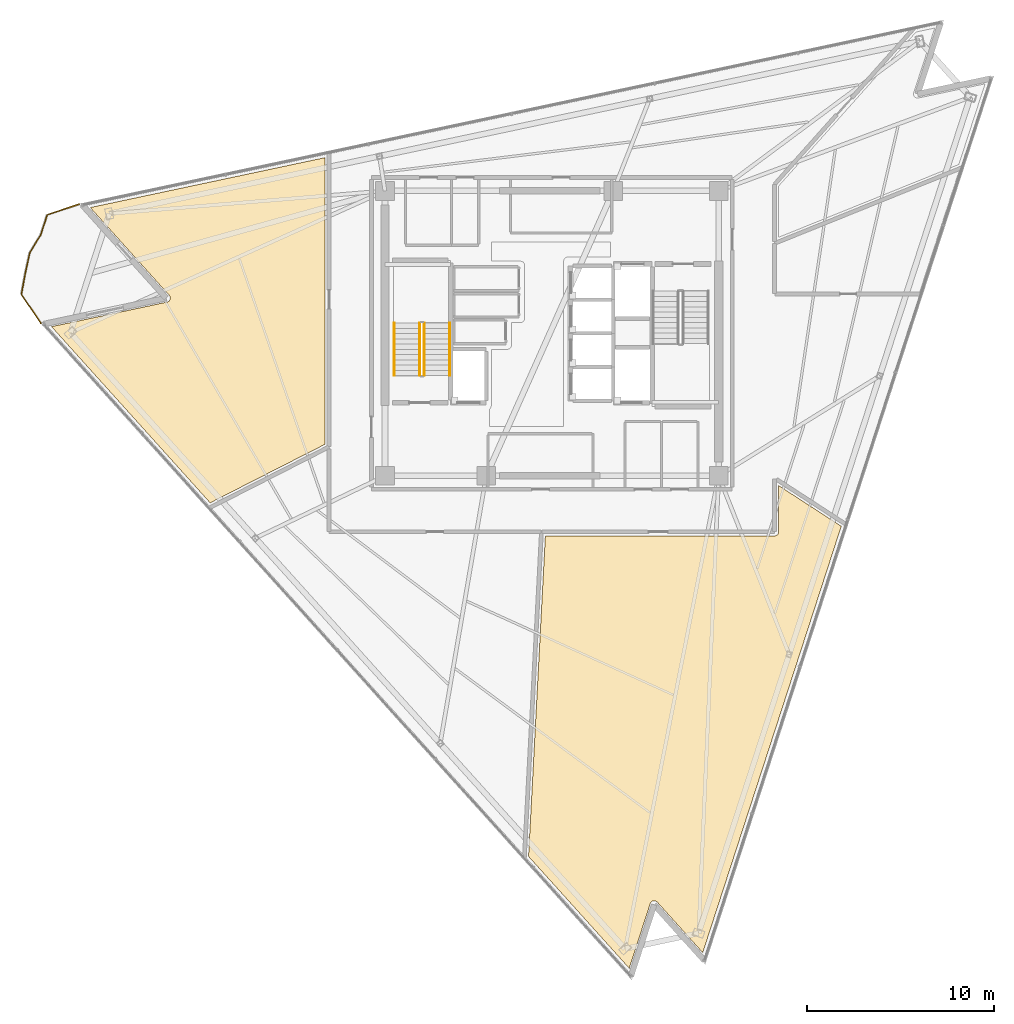
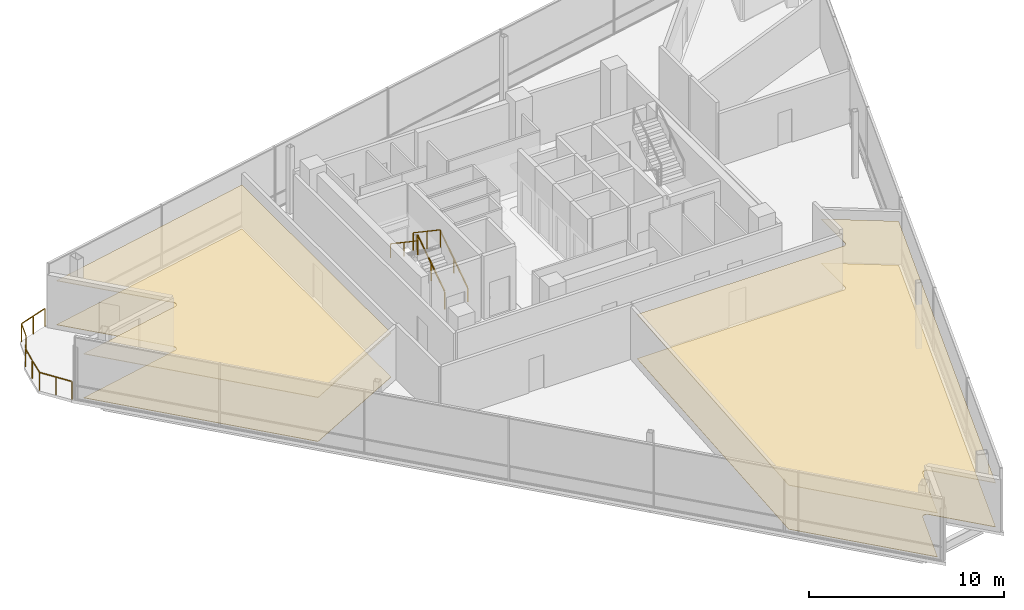
# One storey, part 15 of 17: 5 railings, 4 coverings.
"""IFC4 building model written with IfcOpenShell, lengths in metres."""

from ifc_helpers import new_model, si_unit, direction, frame, origin, origin_2d, place, context, subcontext, project, spatial, polyline, rectangle, outline, extrude, material, layer, layer_set, type_object, element, save


model = new_model("IFC4")

# Units and contexts
model_context = context("Model", 3, precision=1e-05, world=origin(), true_north=direction((0.0, 1.0)))
body_context = subcontext(model_context, "Body", "Model", "MODEL_VIEW")
ifc_project = project(units=[si_unit("LENGTHUNIT", "METRE"), si_unit("AREAUNIT", "SQUARE_METRE"), si_unit("VOLUMEUNIT", "CUBIC_METRE"), si_unit("PLANEANGLEUNIT", "RADIAN"), si_unit("MASSUNIT", "GRAM", prefix="KILO")], contexts=[model_context])

# Site, building, storey
site_placement = place(None, origin())
site = spatial("IfcSite", under=ifc_project, at=site_placement, CompositionType="ELEMENT")
building_placement = place(site_placement, origin())
building = spatial("IfcBuilding", under=site, at=building_placement, Name="Tharavind Bronze Gate", CompositionType="ELEMENT")
storey_placement = place(building_placement, frame((0.0, 0.0, 298.0)))
storey = spatial("IfcBuildingStorey", under=building, at=storey_placement, Name="L77", CompositionType="ELEMENT", Elevation=298.0)

# Coverings
ifc_material_1 = material(Name="Engineered Oak & Carpet Tile", Category="wood")
ifc_layer_1 = layer(ifc_material_1, 0.02490234375)
ifc_layer_set_1 = layer_set([ifc_layer_1], Name="Engineered Oak & Carpet Tile")
covering_type_1 = type_object("IfcCoveringType", Name="ENGINEERED TIMBER FLOORING", PredefinedType="FLOORING", material=ifc_layer_set_1)
covering_1_placement = place(storey_placement, origin())
element("IfcCovering", 1, at=covering_1_placement, inside=storey, type_object=covering_type_1, Name="L77-RM-02 floor finish", PredefinedType="FLOORING", context=body_context, shape_type="SweptSolid", body=[
    extrude(outline(polyline([(-18.224609375, -9.0390625), (-12.10009765625, -5.918212890625), (-12.10009765625, 9.3740234375), (-24.62255859375, 6.712158203125), (-20.408203125, 2.03173828125), (-20.401123046875, 2.023193359375), (-20.400634765625, 2.02294921875), (-20.3876953125, 2.005126953125), (-20.376708984375, 1.986328125), (-20.367431640625, 1.96630859375), (-20.360107421875, 1.94580078125), (-20.35498046875, 1.92431640625), (-20.35205078125, 1.902587890625), (-20.351318359375, 1.880615234375), (-20.352783203125, 1.85888671875), (-20.3564453125, 1.837158203125), (-20.362060546875, 1.81591796875), (-20.369873046875, 1.79541015625), (-20.379638671875, 1.77587890625), (-20.3916015625, 1.75732421875), (-20.405029296875, 1.739990234375), (-20.420166015625, 1.72412109375), (-20.436767578125, 1.7099609375), (-20.454833984375, 1.697509765625), (-20.473876953125, 1.686767578125), (-20.494140625, 1.677978515625), (-20.514892578125, 1.67138671875), (-20.515380859375, 1.671142578125), (-20.526123046875, 1.668701171875), (-26.686767578125, 0.359130859375), (-18.224609375, -9.0390625)])), origin(), (0.0, 0.0, 1.0), 0.02490234375),
])
covering_2_placement = place(storey_placement, origin())
element("IfcCovering", 2, at=covering_2_placement, inside=storey, type_object=covering_type_1, Name="L77-RM-04 floor finish", PredefinedType="FLOORING", context=body_context, shape_type="SweptSolid", body=[
    extrude(outline(polyline([(4.12939453125, -33.865478515625), (5.25, -30.416748046875), (5.25341796875, -30.406494140625), (5.253662109375, -30.406005859375), (5.262451171875, -30.3857421875), (5.273193359375, -30.36669921875), (5.285888671875, -30.348876953125), (5.30029296875, -30.332275390625), (5.316162109375, -30.317138671875), (5.33349609375, -30.3037109375), (5.352294921875, -30.2919921875), (5.371826171875, -30.282470703125), (5.392333984375, -30.274658203125), (5.41357421875, -30.26904296875), (5.435302734375, -30.265625), (5.45703125, -30.264404296875), (5.47900390625, -30.26513671875), (5.500732421875, -30.268310546875), (5.522216796875, -30.2734375), (5.542724609375, -30.28076171875), (5.5625, -30.2900390625), (5.581298828125, -30.30126953125), (5.59912109375, -30.314208984375), (5.615234375, -30.3291015625), (5.61572265625, -30.32958984375), (5.623291015625, -30.33740234375), (8.0498046875, -33.0322265625), (15.439453125, -10.288818359375), (12.10009765625, -8.1201171875), (12.10009765625, -10.579345703125), (12.099609375, -10.590087890625), (12.099609375, -10.5908203125), (12.09765625, -10.6123046875), (12.093505859375, -10.63330078125), (12.087158203125, -10.654052734375), (12.078857421875, -10.674072265625), (12.068603515625, -10.693115234375), (12.056640625, -10.7109375), (12.04296875, -10.727783203125), (12.027587890625, -10.742919921875), (12.010986328125, -10.756591796875), (11.9931640625, -10.768798828125), (11.97412109375, -10.77880859375), (11.9541015625, -10.787109375), (11.933349609375, -10.79345703125), (11.912353515625, -10.797607421875), (11.890869140625, -10.7998046875), (11.89013671875, -10.7998046875), (11.87939453125, -10.800048828125), (-0.345703125, -10.800048828125), (-1.241943359375, -27.900390625), (4.12939453125, -33.865478515625)])), origin(), (0.0, 0.0, 1.0), 0.02490234375),
])
ifc_material_2 = material(Name="Acoustic Gypsum Board", Category="gypsum")
ifc_layer_2 = layer(ifc_material_2, 0.030029296875)
ifc_layer_set_2 = layer_set([ifc_layer_2], Name="Acoustic Gypsum Board")
covering_type_2 = type_object("IfcCoveringType", Name="GYPSUM SUSPENDED CEILING", PredefinedType="CEILING", material=ifc_layer_set_2)
covering_3_placement = place(storey_placement, frame((0.0, 0.0, 2.75)))
element("IfcCovering", 3, at=covering_3_placement, inside=storey, type_object=covering_type_2, Name="L77-RM-02 suspended ceiling", PredefinedType="CEILING", context=body_context, shape_type="SweptSolid", body=[
    extrude(outline(polyline([(-18.224609375, -9.0390625), (-12.10009765625, -5.918212890625), (-12.10009765625, 9.3740234375), (-24.62255859375, 6.712158203125), (-20.408203125, 2.03173828125), (-20.401123046875, 2.023193359375), (-20.400634765625, 2.02294921875), (-20.3876953125, 2.005126953125), (-20.376708984375, 1.986328125), (-20.367431640625, 1.96630859375), (-20.360107421875, 1.94580078125), (-20.35498046875, 1.92431640625), (-20.35205078125, 1.902587890625), (-20.351318359375, 1.880615234375), (-20.352783203125, 1.85888671875), (-20.3564453125, 1.837158203125), (-20.362060546875, 1.81591796875), (-20.369873046875, 1.79541015625), (-20.379638671875, 1.77587890625), (-20.3916015625, 1.75732421875), (-20.405029296875, 1.739990234375), (-20.420166015625, 1.72412109375), (-20.436767578125, 1.7099609375), (-20.454833984375, 1.697509765625), (-20.473876953125, 1.686767578125), (-20.494140625, 1.677978515625), (-20.514892578125, 1.67138671875), (-20.515380859375, 1.671142578125), (-20.526123046875, 1.668701171875), (-26.686767578125, 0.359130859375), (-18.224609375, -9.0390625)])), origin(), (0.0, 0.0, 1.0), 0.034912109375),
])
covering_4_placement = place(storey_placement, frame((0.0, 0.0, 2.75)))
element("IfcCovering", 4, at=covering_4_placement, inside=storey, type_object=covering_type_2, Name="L77-RM-04 suspended ceiling", PredefinedType="CEILING", context=body_context, shape_type="SweptSolid", body=[
    extrude(outline(polyline([(4.12939453125, -33.865478515625), (5.25, -30.416748046875), (5.25341796875, -30.406494140625), (5.253662109375, -30.406005859375), (5.262451171875, -30.3857421875), (5.273193359375, -30.36669921875), (5.285888671875, -30.348876953125), (5.30029296875, -30.332275390625), (5.316162109375, -30.317138671875), (5.33349609375, -30.3037109375), (5.352294921875, -30.2919921875), (5.371826171875, -30.282470703125), (5.392333984375, -30.274658203125), (5.41357421875, -30.26904296875), (5.435302734375, -30.265625), (5.45703125, -30.264404296875), (5.47900390625, -30.26513671875), (5.500732421875, -30.268310546875), (5.522216796875, -30.2734375), (5.542724609375, -30.28076171875), (5.5625, -30.2900390625), (5.581298828125, -30.30126953125), (5.59912109375, -30.314208984375), (5.615234375, -30.3291015625), (5.61572265625, -30.32958984375), (5.623291015625, -30.33740234375), (8.0498046875, -33.0322265625), (15.439453125, -10.288818359375), (12.10009765625, -8.1201171875), (12.10009765625, -10.579345703125), (12.099609375, -10.590087890625), (12.099609375, -10.5908203125), (12.09765625, -10.6123046875), (12.093505859375, -10.63330078125), (12.087158203125, -10.654052734375), (12.078857421875, -10.674072265625), (12.068603515625, -10.693115234375), (12.056640625, -10.7109375), (12.04296875, -10.727783203125), (12.027587890625, -10.742919921875), (12.010986328125, -10.756591796875), (11.9931640625, -10.768798828125), (11.97412109375, -10.77880859375), (11.9541015625, -10.787109375), (11.933349609375, -10.79345703125), (11.912353515625, -10.797607421875), (11.890869140625, -10.7998046875), (11.89013671875, -10.7998046875), (11.87939453125, -10.800048828125), (-0.345703125, -10.800048828125), (-1.241943359375, -27.900390625), (4.12939453125, -33.865478515625)])), origin(), (0.0, 0.0, 1.0), 0.034912109375),
])

# Railings
ifc_material_3 = material(Name="Brushed Bronze Alloy", Category="metal")
railing_type_1 = type_object("IfcRailingType", Name="STAIR BRONZE HANDRAIL 900", PredefinedType="HANDRAIL", material=ifc_material_3)
railing_1_placement = place(storey_placement, frame((-5.449951171875, -2.25, 0.188720703125)))
element("IfcRailing", 5, at=railing_1_placement, inside=storey, type_object=railing_type_1, Name="L77 ST1 stair handrail 1", PredefinedType="HANDRAIL", context=body_context, shape_type="SweptSolid", body=[
    extrude(rectangle(XDim=0.048095703125, YDim=0.048095703125, at=origin_2d()), frame((0.0, 0.026611328125, 0.893798828125), z_axis=(0.0, 0.829370595332, 0.558698859494), x_axis=(-1.0, 0.0, 0.0)), (0.0, 0.0, 1.0), 3.31201171875),
    extrude(rectangle(XDim=0.0400390625, YDim=0.0400390625, at=origin_2d()), origin(), (0.0, 0.0, 1.0), 0.847900390625),
    extrude(rectangle(XDim=0.0400390625, YDim=0.0400390625, at=origin_2d()), frame((0.0, 1.39990234375, 0.943115234375)), (0.0, 0.0, 1.0), 0.847900390625),
    extrude(rectangle(XDim=0.0400390625, YDim=0.0400390625, at=origin_2d()), frame((0.0, 2.800048828125, 1.88623046875)), (0.0, 0.0, 1.0), 0.847900390625),
])
railing_2_placement = place(storey_placement, frame((-8.39990234375, 0.550048828125, 2.263671875)))
element("IfcRailing", 6, at=railing_2_placement, inside=storey, type_object=railing_type_1, Name="L77 ST1 stair handrail 2", PredefinedType="HANDRAIL", context=body_context, shape_type="SweptSolid", body=[
    extrude(rectangle(XDim=0.048095703125, YDim=0.048095703125, at=origin_2d()), frame((0.0, -0.026611328125, 0.893798828125), z_axis=(0.0, -0.829370595332, 0.558698859494), x_axis=(1.0, 0.0, 0.0)), (0.0, 0.0, 1.0), 3.31201171875),
    extrude(rectangle(XDim=0.0400390625, YDim=0.0400390625, at=origin_2d()), origin(), (0.0, 0.0, 1.0), 0.847900390625),
    extrude(rectangle(XDim=0.0400390625, YDim=0.0400390625, at=origin_2d()), frame((0.0, -1.39990234375, 0.943115234375)), (0.0, 0.0, 1.0), 0.847900390625),
    extrude(rectangle(XDim=0.0400390625, YDim=0.0400390625, at=origin_2d()), frame((0.0, -2.800048828125, 1.88623046875)), (0.0, 0.0, 1.0), 0.847900390625),
])
railing_type_2 = type_object("IfcRailingType", Name="STAIR WELL GUARD RAILING 1120", PredefinedType="GUARDRAIL", material=ifc_material_3)
railing_3_placement = place(storey_placement, frame((-6.800048828125, -2.25, 0.188720703125)))
element("IfcRailing", 7, at=railing_3_placement, inside=storey, type_object=railing_type_2, Name="L77 ST1 stair guard 1", PredefinedType="GUARDRAIL", context=body_context, shape_type="SweptSolid", body=[
    extrude(rectangle(XDim=0.048095703125, YDim=0.048095703125, at=origin_2d()), frame((0.0, 0.026611328125, 1.114013671875), z_axis=(0.0, 0.829370595332, 0.558698859494), x_axis=(-1.0, 0.0, 0.0)), (0.0, 0.0, 1.0), 3.31201171875),
    extrude(rectangle(XDim=0.0400390625, YDim=0.0400390625, at=origin_2d()), origin(), (0.0, 0.0, 1.0), 1.068115234375),
    extrude(rectangle(XDim=0.0400390625, YDim=0.0400390625, at=origin_2d()), frame((0.0, 1.39990234375, 0.943115234375)), (0.0, 0.0, 1.0), 1.068115234375),
    extrude(rectangle(XDim=0.0400390625, YDim=0.0400390625, at=origin_2d()), frame((0.0, 2.800048828125, 1.88623046875)), (0.0, 0.0, 1.0), 1.068115234375),
])
railing_4_placement = place(storey_placement, frame((-7.050048828125, 0.550048828125, 2.263671875)))
element("IfcRailing", 8, at=railing_4_placement, inside=storey, type_object=railing_type_2, Name="L77 ST1 stair guard 3", PredefinedType="GUARDRAIL", context=body_context, shape_type="SweptSolid", body=[
    extrude(rectangle(XDim=0.048095703125, YDim=0.048095703125, at=origin_2d()), frame((0.0, -0.026611328125, 1.114013671875), z_axis=(0.0, -0.829370595332, 0.558698859494), x_axis=(1.0, 0.0, 0.0)), (0.0, 0.0, 1.0), 3.31201171875),
    extrude(rectangle(XDim=0.0400390625, YDim=0.0400390625, at=origin_2d()), origin(), (0.0, 0.0, 1.0), 1.068115234375),
    extrude(rectangle(XDim=0.0400390625, YDim=0.0400390625, at=origin_2d()), frame((0.0, -1.39990234375, 0.943115234375)), (0.0, 0.0, 1.0), 1.068115234375),
    extrude(rectangle(XDim=0.0400390625, YDim=0.0400390625, at=origin_2d()), frame((0.0, -2.800048828125, 1.88623046875)), (0.0, 0.0, 1.0), 1.068115234375),
])
ifc_material_4 = material(Name="Bronze Cap & Laminated Glass", Category="glass")
railing_type_3 = type_object("IfcRailingType", Name="TERRACE GLASS GUARD RAILING 1150", PredefinedType="GUARDRAIL", material=ifc_material_4)
railing_5_placement = place(storey_placement, frame((-27.257568359375, 0.544677734375, 0.0)))
element("IfcRailing", 9, at=railing_5_placement, inside=storey, type_object=railing_type_3, Name="L77 tree balcony guard railing", PredefinedType="GUARDRAIL", context=body_context, shape_type="SweptSolid", body=[
    extrude(rectangle(XDim=0.048095703125, YDim=0.048095703125, at=origin_2d()), frame((-0.017822265625, 0.026611328125, 1.1259765625), z_axis=(-0.558006967266, 0.829836263658, 0.0), x_axis=(-0.829836263658, -0.558006967266, 0.0)), (0.0, 0.0, 1.0), 1.790771484375),
    extrude(rectangle(XDim=0.048095703125, YDim=0.048095703125, at=origin_2d()), frame((-1.029052734375, 1.570556640625, 1.1259765625), z_axis=(0.181084966823, 0.983467454871, 0.0), x_axis=(-0.983467454871, 0.181084966823, 0.0)), (0.0, 0.0, 1.0), 1.05908203125),
    extrude(rectangle(XDim=0.048095703125, YDim=0.048095703125, at=origin_2d()), frame((-0.82470703125, 2.6748046875, 1.1259765625), z_axis=(0.212076358892, 0.977253098229, 0.0), x_axis=(-0.977253098229, 0.212076358892, 0.0)), (0.0, 0.0, 1.0), 1.054931640625),
    extrude(rectangle(XDim=0.048095703125, YDim=0.048095703125, at=origin_2d()), frame((-0.57763671875, 3.764404296875, 1.1259765625), z_axis=(0.517193856548, 0.855868281191, 0.0), x_axis=(-0.855868281191, 0.517193856548, 0.0)), (0.0, 0.0, 1.0), 1.079345703125),
    extrude(rectangle(XDim=0.048095703125, YDim=0.048095703125, at=origin_2d()), frame((0.007080078125, 4.74609375, 1.1259765625), z_axis=(0.309180276792, 0.951003447125, 0.0), x_axis=(-0.951003447125, 0.309180276792, 0.0)), (0.0, 0.0, 1.0), 1.04931640625),
    extrude(rectangle(XDim=0.048095703125, YDim=0.048095703125, at=origin_2d()), frame((0.37158203125, 5.78466796875, 1.1259765625), z_axis=(0.947982555564, 0.31832228063, 0.0), x_axis=(-0.31832228063, 0.947982555564, 0.0)), (0.0, 0.0, 1.0), 1.753662109375),
    extrude(rectangle(XDim=0.0400390625, YDim=0.0400390625, at=origin_2d()), origin(), (0.0, 0.0, 1.0), 1.097900390625),
    extrude(rectangle(XDim=0.0400390625, YDim=0.0400390625, at=origin_2d()), frame((-0.517578125, 0.76953125, 0.0)), (0.0, 0.0, 1.0), 1.097900390625),
    extrude(rectangle(XDim=0.0400390625, YDim=0.0400390625, at=origin_2d()), frame((-1.034912109375, 1.5390625, 0.0)), (0.0, 0.0, 1.0), 1.097900390625),
    extrude(rectangle(XDim=0.0400390625, YDim=0.0400390625, at=origin_2d()), frame((-0.83154296875, 2.6435546875, 0.0)), (0.0, 0.0, 1.0), 1.097900390625),
    extrude(rectangle(XDim=0.0400390625, YDim=0.0400390625, at=origin_2d()), frame((-0.59423828125, 3.737060546875, 0.0)), (0.0, 0.0, 1.0), 1.097900390625),
    extrude(rectangle(XDim=0.0400390625, YDim=0.0400390625, at=origin_2d()), frame((-0.0029296875, 4.715576171875, 0.0)), (0.0, 0.0, 1.0), 1.097900390625),
    extrude(rectangle(XDim=0.0400390625, YDim=0.0400390625, at=origin_2d()), frame((0.34130859375, 5.7744140625, 0.0)), (0.0, 0.0, 1.0), 1.097900390625),
    extrude(rectangle(XDim=0.0400390625, YDim=0.0400390625, at=origin_2d()), frame((1.202880859375, 6.063720703125, 0.0)), (0.0, 0.0, 1.0), 1.097900390625),
    extrude(rectangle(XDim=0.0400390625, YDim=0.0400390625, at=origin_2d()), frame((2.064453125, 6.35302734375, 0.0)), (0.0, 0.0, 1.0), 1.097900390625),
])

save(model, "model.ifc")
